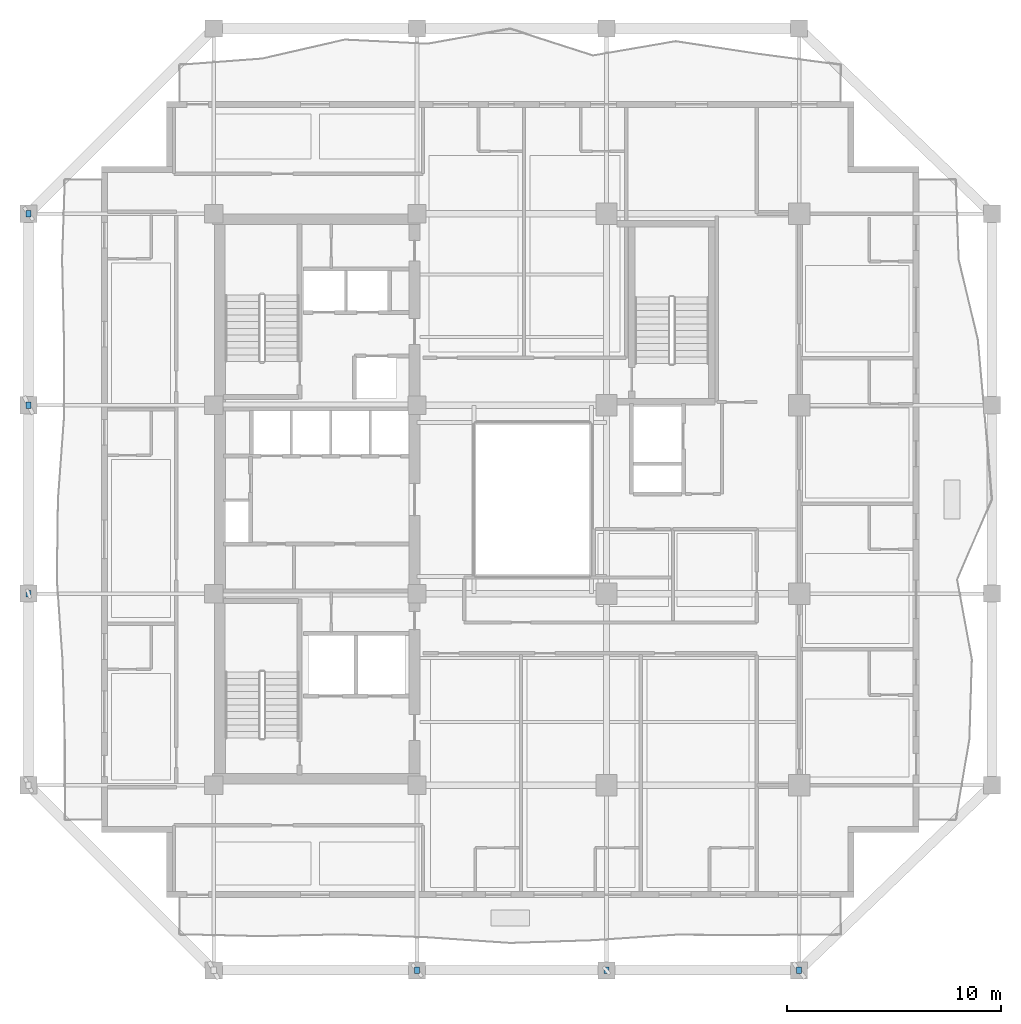
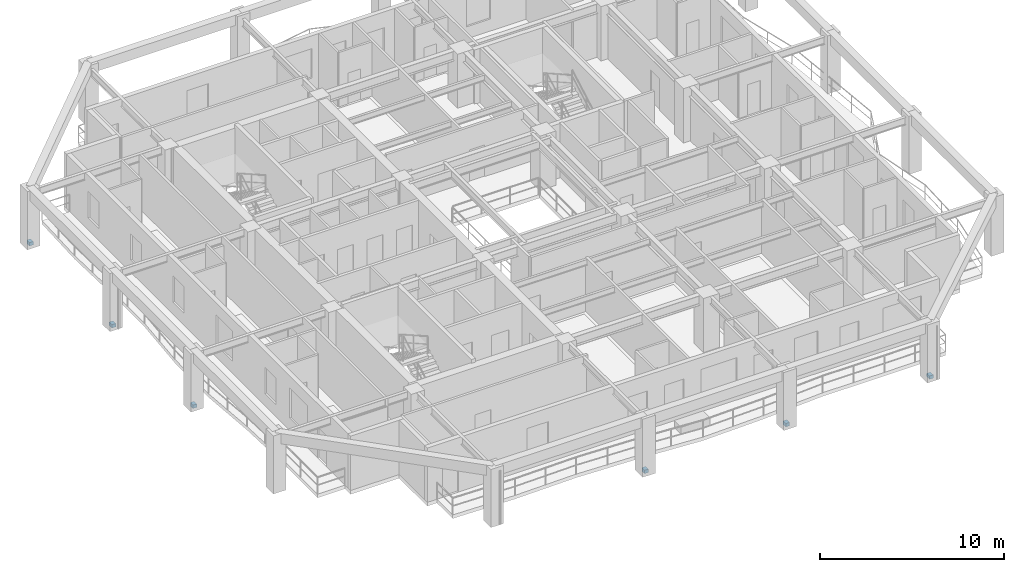
# One storey, part 8 of 12: 6 discrete accessories.
"""IFC4 building model written with IfcOpenShell, lengths in metres."""

from ifc_helpers import new_model, si_unit, direction, frame, origin, origin_2d, place, context, subcontext, project, spatial, rectangle, extrude, material, type_object, element, save


model = new_model("IFC4")

# Units and contexts
model_context = context("Model", 3, precision=1e-05, world=origin(), true_north=direction((0.0, 1.0)))
body_context = subcontext(model_context, "Body", "Model", "MODEL_VIEW")
ifc_project = project(units=[si_unit("LENGTHUNIT", "METRE"), si_unit("AREAUNIT", "SQUARE_METRE"), si_unit("VOLUMEUNIT", "CUBIC_METRE"), si_unit("PLANEANGLEUNIT", "RADIAN"), si_unit("MASSUNIT", "GRAM", prefix="KILO")], contexts=[model_context])

# Site, building, storey
site_placement = place(None, origin())
site = spatial("IfcSite", under=ifc_project, at=site_placement, CompositionType="ELEMENT")
building_placement = place(site_placement, origin())
building = spatial("IfcBuilding", under=site, at=building_placement, Name="Kundavana Baori Tower", CompositionType="ELEMENT")
storey_placement = place(building_placement, frame((0.0, 0.0, 134.800048828125)))
storey = spatial("IfcBuildingStorey", under=building, at=storey_placement, Name="L32", CompositionType="ELEMENT", Elevation=134.800048828125)

# Discrete accessories
ifc_material = material(Name="Structural Steel S355JR", Category="steel")
discrete_accessory_type = type_object("IfcDiscreteAccessoryType", Name="ACC-BRK-FIN", PredefinedType="BRACKET", material=ifc_material)
for number, where, z_axis, x_axis, name in (
    (1, (24.949951171875, 6.60009765625, 0.0), (0.0, 0.0, 1.0), (1.0, 0.0, 0.0), "L32 Stainless Fin Anchor Bracket 2"),
    (2, (33.800048828125, 6.60009765625, 0.0), (0.0, 0.0, 1.0), (1.0, 0.0, 0.0), "L32 Stainless Fin Anchor Bracket 3"),
    (3, (42.800048828125, 6.60009765625, 0.0), (0.0, 0.0, 1.0), (1.0, 0.0, 0.0), "L32 Stainless Fin Anchor Bracket 4"),
    (4, (6.800048828125, 24.199951171875, 0.0), (0.0, 0.0, 1.0), (1.0, 0.0, 0.0), "L32 Stainless Fin Anchor Bracket 6"),
    (5, (6.800048828125, 33.0, 0.0), (0.0, 0.0, 1.0), (1.0, 0.0, 0.0), "L32 Stainless Fin Anchor Bracket 7"),
    (6, (6.800048828125, 41.949951171875, 0.0), (0.0, 0.0, 1.0), (1.0, 0.0, 0.0), "L32 Stainless Fin Anchor Bracket 8"),
):
    element("IfcDiscreteAccessory", number, at=place(storey_placement, frame(where, z_axis=z_axis, x_axis=x_axis)), inside=storey, type_object=discrete_accessory_type, Name=name, PredefinedType="BRACKET", context=body_context, shape_type="SweptSolid", body=[
        extrude(rectangle(XDim=0.239990234375, YDim=0.300048828125, at=origin_2d()), origin(), (0.0, 0.0, 1.0), 0.219970703125),
    ])

save(model, "model.ifc")
